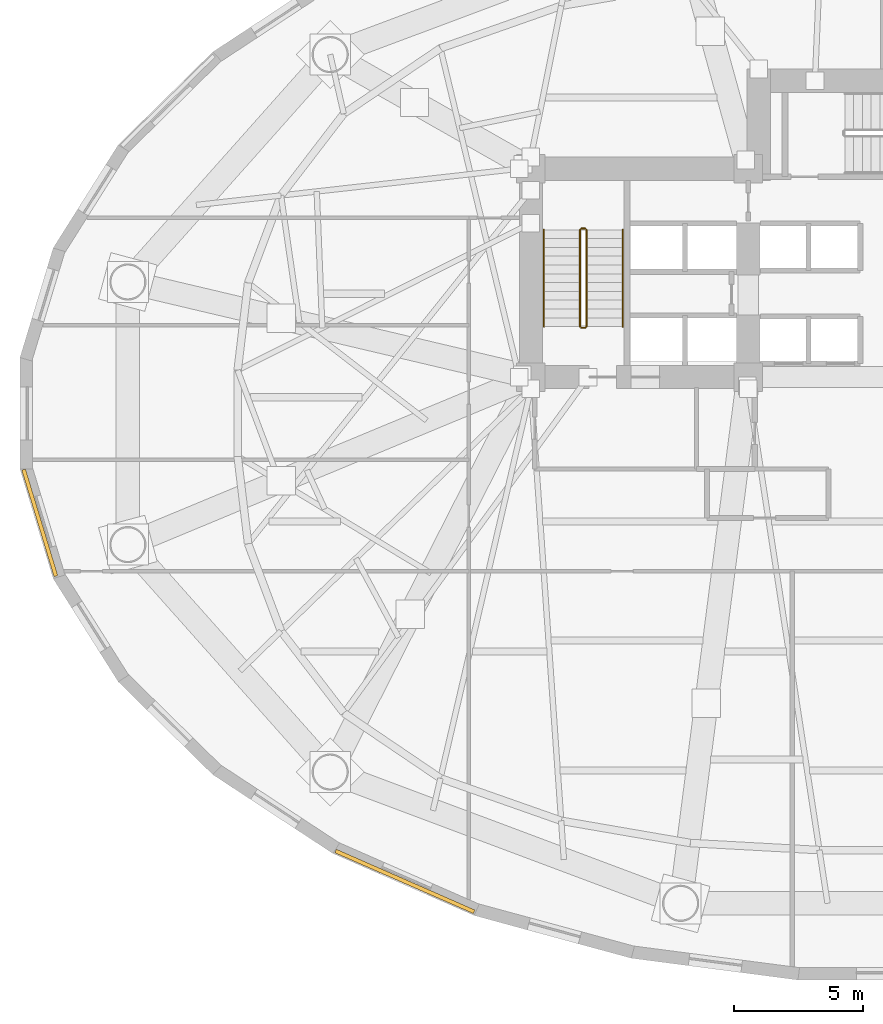
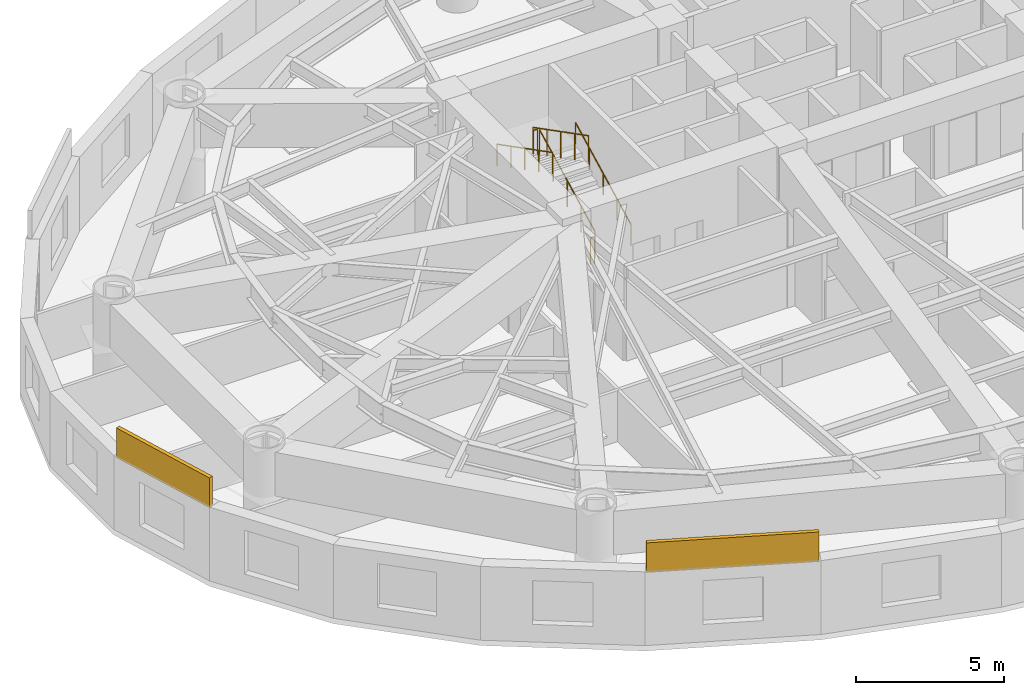
# One storey, part 10 of 14: 6 railings, 2 coverings.
"""IFC4 building model written with IfcOpenShell, lengths in metres."""

import ifcopenshell
import ifcopenshell.guid

model = None  # the IFC model being written
_history = None  # IfcOwnerHistory: only IFC2X3 demands one
_inside = {}  # id of a spatial element -> (the spatial element, [elements in it])
_under = {}  # id of a project, library or spatial element -> (it, [spatial elements below it])
_declared = {}  # id of a project -> (the project, [libraries it declares])
_typed = {}  # id of a type object -> (the type object, [elements of that type])
_made_of = {}  # id of a material, layer set ... -> (it, [elements and type objects made of it])


def new_model(schema):
    """Start an empty IFC model of exactly this schema.

    Asked for "IFC4X3", IfcOpenShell would pick the latest addendum, in which some entities
    have other attributes; the version numbers below select the first issue.
    IFC2X3 requires an IfcOwnerHistory on every rooted entity: one is made here for all.
    """
    global model, _history
    if schema == "IFC4X3":
        model = ifcopenshell.file(schema_version=(4, 3, 0, 0))
    else:
        model = ifcopenshell.file(schema=schema)
    _inside.clear()
    _under.clear()
    _declared.clear()
    _typed.clear()
    _made_of.clear()
    _history = None
    if model.schema == "IFC2X3":
        org = make("IfcOrganization", Name="unknown")
        user = make(
            "IfcPersonAndOrganization",
            ThePerson=make("IfcPerson", FamilyName="unknown"),
            TheOrganization=org,
        )
        app = make(
            "IfcApplication",
            ApplicationDeveloper=org,
            Version="unknown",
            ApplicationFullName="unknown",
            ApplicationIdentifier="unknown",
        )
        _history = make(
            "IfcOwnerHistory",
            OwningUser=user,
            OwningApplication=app,
            ChangeAction="ADDED",
            CreationDate=0,
        )
    return model


def make(cls, **values):
    """One entity of the class cls with the attributes given. An attribute that is None is left unset."""
    return model.create_entity(
        cls, **{name: value for name, value in values.items() if value is not None}
    )


def rooted(cls, **values):
    """An entity with a GlobalId (a new one), such as an element, a storey or a relation."""
    return make(cls, GlobalId=ifcopenshell.guid.new(), OwnerHistory=_history, **values)


def si_unit(unit_type, name, prefix=None):
    """IfcSIUnit, for example si_unit("LENGTHUNIT", "METRE", prefix="MILLI")."""
    return make("IfcSIUnit", UnitType=unit_type, Prefix=prefix, Name=name)


def assignment(units):
    """IfcUnitAssignment: the units of a project."""
    return None if units is None else make("IfcUnitAssignment", Units=units)


def point(xyz):
    """IfcCartesianPoint."""
    return None if xyz is None else make("IfcCartesianPoint", Coordinates=xyz)


def direction(xyz):
    """IfcDirection."""
    return None if xyz is None else make("IfcDirection", DirectionRatios=xyz)


def frame(location, z_axis=None, x_axis=None):
    """IfcAxis2Placement3D, a coordinate frame: its origin and axes. An axis left out is left unset."""
    return make(
        "IfcAxis2Placement3D",
        Location=point(location),
        Axis=direction(z_axis),
        RefDirection=direction(x_axis),
    )


def frame_2d(location, x_axis=None):
    """IfcAxis2Placement2D, a coordinate frame in the plane: its origin and x axis."""
    return make(
        "IfcAxis2Placement2D", Location=point(location), RefDirection=direction(x_axis)
    )


def origin():
    """The frame at (0, 0, 0) with its axes left unset."""
    return frame((0.0, 0.0, 0.0))


def origin_2d():
    """The frame at (0, 0) in the plane with its x axis left unset."""
    return frame_2d((0.0, 0.0))


def place(relative_to, where):
    """IfcLocalPlacement: puts the frame where relative to a parent placement (None: the world)."""
    return make(
        "IfcLocalPlacement", PlacementRelTo=relative_to, RelativePlacement=where
    )


def context(
    kind, dimensions, precision=None, world=None, true_north=None, identifier=None
):
    """IfcGeometricRepresentationContext, for example the 3D "Model" context."""
    return make(
        "IfcGeometricRepresentationContext",
        ContextIdentifier=identifier,
        ContextType=kind,
        CoordinateSpaceDimension=dimensions,
        Precision=precision,
        WorldCoordinateSystem=world,
        TrueNorth=true_north,
    )


def subcontext(parent, identifier, kind, view, scale=None):
    """IfcGeometricRepresentationSubContext, for example "Body" below "Model"."""
    return make(
        "IfcGeometricRepresentationSubContext",
        ContextIdentifier=identifier,
        ContextType=kind,
        ParentContext=parent,
        TargetScale=scale,
        TargetView=view,
    )


def project(units=None, contexts=None):
    """IfcProject with its units and contexts."""
    return rooted(
        "IfcProject",
        Name="project",
        RepresentationContexts=contexts,
        UnitsInContext=assignment(units),
    )


def spatial(cls, under=None, at=None, **own):
    """A site, building, storey or space (cls), placed at a placement, below another one or the project."""
    s = rooted(cls, ObjectPlacement=at, **own)
    if under is not None:
        _under.setdefault(under.id(), (under, []))[1].append(s)
    return s


def profile(cls, at=None, kind="AREA", **sizes):
    """A parametric profile (cls). Its sizes go by their IFC names, for example OverallWidth=200.0."""
    return make(cls, ProfileType=kind, Position=at, **sizes)


def rectangle(**sizes):
    """IfcRectangleProfileDef."""
    return profile("IfcRectangleProfileDef", **sizes)


def circle(**sizes):
    """IfcCircleProfileDef."""
    return profile("IfcCircleProfileDef", **sizes)


def extrude(swept, where, along, depth):
    """IfcExtrudedAreaSolid: the profile swept, set in the frame where, extruded along a direction by depth."""
    return make(
        "IfcExtrudedAreaSolid",
        SweptArea=swept,
        Position=where,
        ExtrudedDirection=direction(along),
        Depth=depth,
    )


def shape(context_of_items, identifier, shape_type, items):
    """IfcShapeRepresentation: the items that make up one representation, for example the "Body"."""
    return make(
        "IfcShapeRepresentation",
        ContextOfItems=context_of_items,
        RepresentationIdentifier=identifier,
        RepresentationType=shape_type,
        Items=items,
    )


def material(Name=None, Category=None):
    """IfcMaterial."""
    return make("IfcMaterial", Name=Name, Category=Category)


def layer(
    of_material, thickness, ventilated=None, Name=None, Category=None, Priority=None
):
    """IfcMaterialLayer: one layer of a wall or slab, of a material (None: an air gap)."""
    return make(
        "IfcMaterialLayer",
        Material=of_material,
        LayerThickness=thickness,
        IsVentilated=ventilated,
        Name=Name,
        Category=Category,
        Priority=Priority,
    )


def layer_set(layers, Name=None):
    """IfcMaterialLayerSet."""
    return make("IfcMaterialLayerSet", MaterialLayers=layers, LayerSetName=Name)


def made_of(thing, what):
    """Note that an element or type object is made of a material, layer set ...; save() writes the relation."""
    if what is not None:
        _made_of.setdefault(what.id(), (what, []))[1].append(thing)
    return thing


def type_object(cls, material=None, **own):
    """A type object (cls), such as IfcWallType, which elements share."""
    return made_of(rooted(cls, **own), material)


def element(
    cls,
    number,
    at=None,
    inside=None,
    cuts=None,
    type_object=None,
    material=None,
    context=None,
    identifier="Body",
    shape_type=None,
    held_by="IfcProductDefinitionShape",
    body=None,
    shapes=None,
    **own,
):
    """One element of the class cls, such as IfcWall. Its Tag is "e" and its number.

    at: its placement. inside: the storey or other place that contains it. cuts: it is an
    opening in that element (IfcRelVoidsElement). A single representation is given by context,
    identifier, shape_type and body (its items); several are given by shapes. held_by: the class
    of the entity that holds the representations. save() writes the other relations.
    """
    e = rooted(cls, Tag="e%d" % number, ObjectPlacement=at, **own)
    if body is not None:
        shapes = [shape(context, identifier, shape_type, body)]
    if shapes is not None:
        e.Representation = make(held_by, Representations=shapes)
    if inside is not None:
        _inside.setdefault(inside.id(), (inside, []))[1].append(e)
    if cuts is not None:
        rooted(
            "IfcRelVoidsElement", RelatingBuildingElement=cuts, RelatedOpeningElement=e
        )
    if type_object is not None:
        _typed.setdefault(type_object.id(), (type_object, []))[1].append(e)
    return made_of(e, material)


def aggregate(whole, parts):
    """IfcRelAggregates: a whole, such as a stair, and the parts it consists of."""
    return rooted("IfcRelAggregates", RelatingObject=whole, RelatedObjects=parts)


def save(model, path):
    """Write the relations noted so far, then the file.

    IfcRelAggregates (storeys below a building ...), IfcRelContainedInSpatialStructure (elements
    in a storey), IfcRelDefinesByType, IfcRelAssociatesMaterial and IfcRelDeclares: one each for
    every whole, place, type object, material and project.
    """
    for whole, parts in _under.values():
        aggregate(whole, parts)
    for where, things in _inside.values():
        rooted(
            "IfcRelContainedInSpatialStructure",
            RelatedElements=things,
            RelatingStructure=where,
        )
    for kind, things in _typed.values():
        rooted("IfcRelDefinesByType", RelatedObjects=things, RelatingType=kind)
    for what, things in _made_of.values():
        rooted("IfcRelAssociatesMaterial", RelatedObjects=things, RelatingMaterial=what)
    for by, libraries in _declared.values():
        rooted("IfcRelDeclares", RelatingContext=by, RelatedDefinitions=libraries)
    model.write(path)


model = new_model("IFC4")

# Units and contexts
model_context = context("Model", 3, precision=1e-05, world=origin(), true_north=direction((0.0, 1.0)))
body_context = subcontext(model_context, "Body", "Model", "MODEL_VIEW")
ifc_project = project(units=[si_unit("LENGTHUNIT", "METRE"), si_unit("AREAUNIT", "SQUARE_METRE"), si_unit("VOLUMEUNIT", "CUBIC_METRE"), si_unit("PLANEANGLEUNIT", "RADIAN"), si_unit("MASSUNIT", "GRAM", prefix="KILO")], contexts=[model_context])

# Site, building, storey
site_placement = place(None, origin())
site = spatial("IfcSite", under=ifc_project, at=site_placement, CompositionType="ELEMENT")
building_placement = place(site_placement, origin())
building = spatial("IfcBuilding", under=site, at=building_placement, Name="Keldmark Tower", CompositionType="ELEMENT")
storey_placement = place(building_placement, frame((0.0, 0.0, 22.800048828125)))
storey = spatial("IfcBuildingStorey", under=building, at=storey_placement, Name="L05", CompositionType="ELEMENT", Elevation=22.800048828125)

# Coverings
ifc_material_1 = material(Name="Honed Kasota Buff Dolomitic Limestone", Category="masonry")
ifc_layer = layer(ifc_material_1, 0.074951171875)
ifc_layer_set = layer_set([ifc_layer], Name="Honed Kasota Buff Dolomitic Limestone")
covering_type = type_object("IfcCoveringType", Name="Kasota Buff Limestone Spandrel Cladding Band", PredefinedType="CLADDING", material=ifc_layer_set)
covering_1_placement = place(storey_placement, frame((-32.57373046875, -4.233642578125, 2.952880859375), z_axis=(0.0, 0.0, 1.0), x_axis=(0.289883809569, -0.957061845938, 0.0)))
element("IfcCovering", 1, at=covering_1_placement, inside=storey, type_object=covering_type, Name="L05 Kasota Limestone Spandrel Band 17", PredefinedType="CLADDING", context=body_context, shape_type="SweptSolid", body=[
    extrude(rectangle(XDim=4.2998046875, YDim=0.14990234375, at=origin_2d()), origin(), (0.0, 0.0, 1.0), 1.22705078125),
])
covering_2_placement = place(storey_placement, frame((-18.4697265625, -18.085205078125, 2.952880859375), z_axis=(0.0, 0.0, 1.0), x_axis=(0.915711693691, -0.401835904367, 0.0)))
element("IfcCovering", 2, at=covering_2_placement, inside=storey, type_object=covering_type, Name="L05 Kasota Limestone Spandrel Band 21", PredefinedType="CLADDING", context=body_context, shape_type="SweptSolid", body=[
    extrude(rectangle(XDim=5.843017578125, YDim=0.14990234375, at=origin_2d()), origin(), (0.0, 0.0, 1.0), 1.22705078125),
])

# Railings
ifc_material_2 = material(Name="Painted Steel ASTM A500 Grade B", Category="steel")
railing_type_1 = type_object("IfcRailingType", Name="Painted Steel Stair Well Guard 1100 mm", PredefinedType="GUARDRAIL", material=ifc_material_2)
railing_1_placement = place(storey_placement, frame((-11.449951171875, 3.35009765625, 0.175048828125)))
element("IfcRailing", 3, at=railing_1_placement, inside=storey, type_object=railing_type_1, Name="L05 ST1 stair guard 1", PredefinedType="GUARDRAIL", context=body_context, shape_type="SweptSolid", body=[
    extrude(circle(Radius=0.02392578125, at=origin_2d()), frame((0.0, 0.0, 1.076171875), z_axis=(0.0, 0.889154217769, 0.457607667138), x_axis=(-1.0, 0.0, 0.0)), (0.0, 0.0, 1.0), 4.206298828125),
    extrude(circle(Radius=0.02099609375, at=origin_2d()), origin(), (0.0, 0.0, 1.0), 1.052001953125),
    extrude(circle(Radius=0.02099609375, at=origin_2d()), frame((0.0, 0.93505859375, 0.481201171875)), (0.0, 0.0, 1.0), 1.052001953125),
    extrude(circle(Radius=0.02099609375, at=origin_2d()), frame((0.0, 1.8701171875, 0.96240234375)), (0.0, 0.0, 1.0), 1.052001953125),
    extrude(circle(Radius=0.02099609375, at=origin_2d()), frame((0.0, 2.804931640625, 1.443603515625)), (0.0, 0.0, 1.0), 1.052001953125),
    extrude(circle(Radius=0.02099609375, at=origin_2d()), frame((0.0, 3.739990234375, 1.9248046875)), (0.0, 0.0, 1.0), 1.052001953125),
])
railing_2_placement = place(storey_placement, frame((-11.5, 7.139892578125, 2.099853515625)))
element("IfcRailing", 4, at=railing_2_placement, inside=storey, type_object=railing_type_1, Name="L05 ST1 stair guard 2", PredefinedType="GUARDRAIL", context=body_context, shape_type="SweptSolid", body=[
    extrude(circle(Radius=0.02392578125, at=origin_2d()), frame((0.0, 0.0, 1.076171875), z_axis=(-1.0, 0.0, 0.0), x_axis=(0.0, -1.0, 0.0)), (0.0, 0.0, 1.0), 0.14990234375),
    extrude(circle(Radius=0.02099609375, at=origin_2d()), origin(), (0.0, 0.0, 1.0), 1.052001953125),
    extrude(circle(Radius=0.02099609375, at=origin_2d()), frame((-0.14990234375, 0.0, 0.0)), (0.0, 0.0, 1.0), 1.052001953125),
])
railing_3_placement = place(storey_placement, frame((-11.699951171875, 7.090087890625, 2.27490234375)))
element("IfcRailing", 5, at=railing_3_placement, inside=storey, type_object=railing_type_1, Name="L05 ST1 stair guard 3", PredefinedType="GUARDRAIL", context=body_context, shape_type="SweptSolid", body=[
    extrude(circle(Radius=0.02392578125, at=origin_2d()), frame((0.0, 0.0, 1.076171875), z_axis=(0.0, -0.889130600629, 0.457653553493), x_axis=(1.0, 0.0, 0.0)), (0.0, 0.0, 1.0), 4.206298828125),
    extrude(circle(Radius=0.02099609375, at=origin_2d()), origin(), (0.0, 0.0, 1.0), 1.052001953125),
    extrude(circle(Radius=0.02099609375, at=origin_2d()), frame((0.0, -0.93505859375, 0.481201171875)), (0.0, 0.0, 1.0), 1.052001953125),
    extrude(circle(Radius=0.02099609375, at=origin_2d()), frame((0.0, -1.8701171875, 0.96240234375)), (0.0, 0.0, 1.0), 1.052001953125),
    extrude(circle(Radius=0.02099609375, at=origin_2d()), frame((0.0, -2.804931640625, 1.44384765625)), (0.0, 0.0, 1.0), 1.052001953125),
    extrude(circle(Radius=0.02099609375, at=origin_2d()), frame((0.0, -3.739990234375, 1.925048828125)), (0.0, 0.0, 1.0), 1.052001953125),
])
railing_4_placement = place(storey_placement, frame((-11.5, 3.300048828125, 0.0)))
element("IfcRailing", 6, at=railing_4_placement, inside=storey, type_object=railing_type_1, Name="L05 ST1 stair guard 4", PredefinedType="GUARDRAIL", context=body_context, shape_type="SweptSolid", body=[
    extrude(circle(Radius=0.02392578125, at=origin_2d()), frame((0.0, 0.0, 1.076171875), z_axis=(-1.0, 0.0, 0.0), x_axis=(0.0, -1.0, 0.0)), (0.0, 0.0, 1.0), 0.14990234375),
    extrude(circle(Radius=0.02099609375, at=origin_2d()), origin(), (0.0, 0.0, 1.0), 1.052001953125),
    extrude(circle(Radius=0.02099609375, at=origin_2d()), frame((-0.14990234375, 0.0, 0.0)), (0.0, 0.0, 1.0), 1.052001953125),
])
ifc_material_3 = material(Name="Stainless Steel AISI 316L", Category="steel")
railing_type_2 = type_object("IfcRailingType", Name="Stainless Steel Stair Handrail 900 mm", PredefinedType="HANDRAIL", material=ifc_material_3)
railing_5_placement = place(storey_placement, frame((-10.050048828125, 3.35009765625, 0.175048828125)))
element("IfcRailing", 7, at=railing_5_placement, inside=storey, type_object=railing_type_2, Name="L05 ST1 stair handrail 1", PredefinedType="HANDRAIL", context=body_context, shape_type="SweptSolid", body=[
    extrude(circle(Radius=0.02392578125, at=origin_2d()), frame((0.0, 0.0, 0.8759765625), z_axis=(0.0, 0.889154217769, 0.457607667138), x_axis=(-1.0, 0.0, 0.0)), (0.0, 0.0, 1.0), 4.206298828125),
    extrude(circle(Radius=0.02099609375, at=origin_2d()), origin(), (0.0, 0.0, 1.0), 0.851806640625),
    extrude(circle(Radius=0.02099609375, at=origin_2d()), frame((0.0, 0.93505859375, 0.481201171875)), (0.0, 0.0, 1.0), 0.851806640625),
    extrude(circle(Radius=0.02099609375, at=origin_2d()), frame((0.0, 1.8701171875, 0.96240234375)), (0.0, 0.0, 1.0), 0.851806640625),
    extrude(circle(Radius=0.02099609375, at=origin_2d()), frame((0.0, 2.804931640625, 1.443603515625)), (0.0, 0.0, 1.0), 0.851806640625),
    extrude(circle(Radius=0.02099609375, at=origin_2d()), frame((0.0, 3.739990234375, 1.9248046875)), (0.0, 0.0, 1.0), 0.851806640625),
])
railing_6_placement = place(storey_placement, frame((-13.10009765625, 7.090087890625, 2.27490234375)))
element("IfcRailing", 8, at=railing_6_placement, inside=storey, type_object=railing_type_2, Name="L05 ST1 stair handrail 2", PredefinedType="HANDRAIL", context=body_context, shape_type="SweptSolid", body=[
    extrude(circle(Radius=0.02392578125, at=origin_2d()), frame((0.0, 0.0, 0.8759765625), z_axis=(0.0, -0.889130600629, 0.457653553493), x_axis=(1.0, 0.0, 0.0)), (0.0, 0.0, 1.0), 4.206298828125),
    extrude(circle(Radius=0.02099609375, at=origin_2d()), origin(), (0.0, 0.0, 1.0), 0.851806640625),
    extrude(circle(Radius=0.02099609375, at=origin_2d()), frame((0.0, -0.93505859375, 0.481201171875)), (0.0, 0.0, 1.0), 0.851806640625),
    extrude(circle(Radius=0.02099609375, at=origin_2d()), frame((0.0, -1.8701171875, 0.96240234375)), (0.0, 0.0, 1.0), 0.851806640625),
    extrude(circle(Radius=0.02099609375, at=origin_2d()), frame((0.0, -2.804931640625, 1.44384765625)), (0.0, 0.0, 1.0), 0.851806640625),
    extrude(circle(Radius=0.02099609375, at=origin_2d()), frame((0.0, -3.739990234375, 1.925048828125)), (0.0, 0.0, 1.0), 0.851806640625),
])

save(model, "model.ifc")
